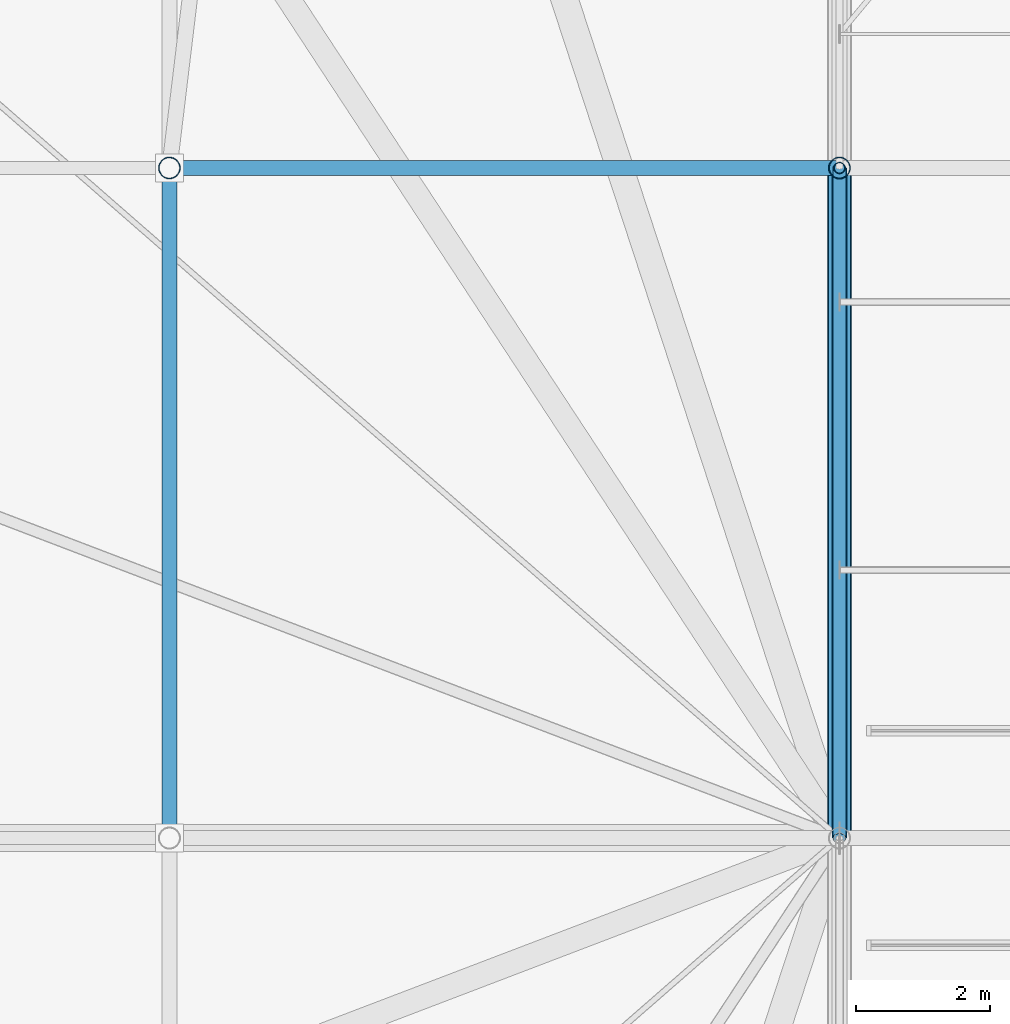
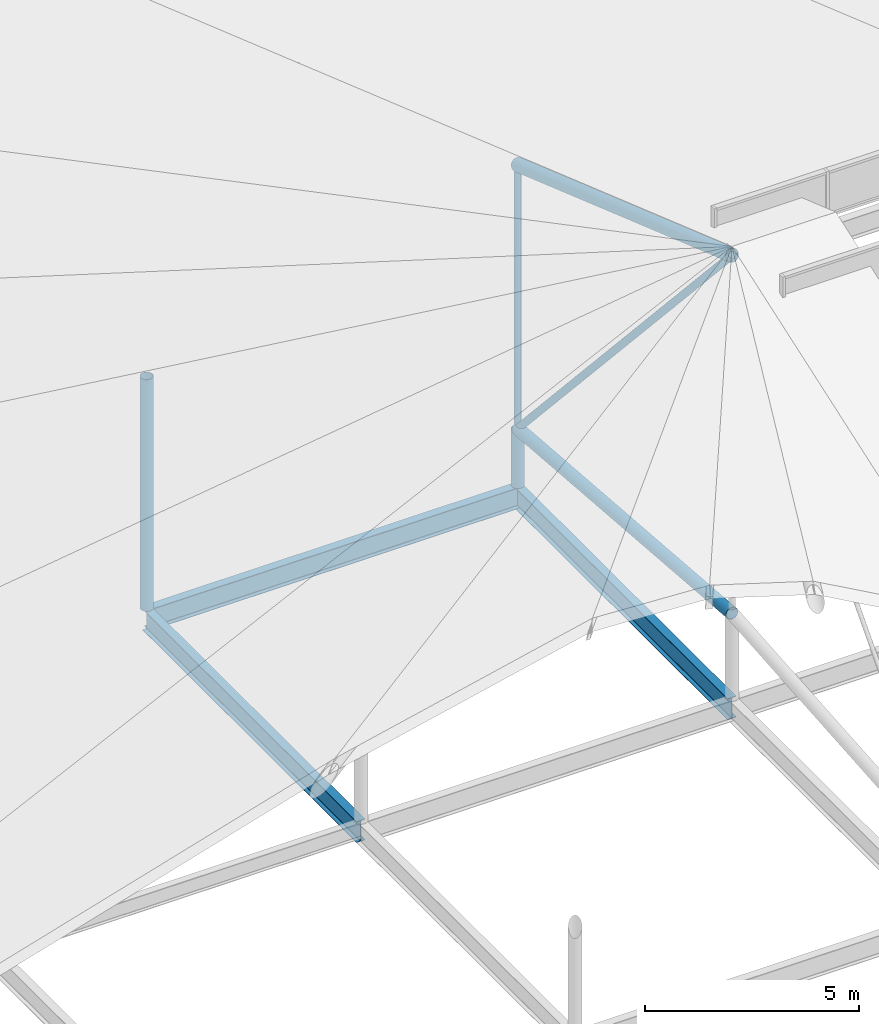
# One storey, part 28 of 93: 6 members, 3 beams.
"""IFC4 building model written with IfcOpenShell, lengths in metres."""

from ifc_helpers import new_model, si_unit, derived_unit, direction, frame, origin, origin_2d_with_axis, place, context, subcontext, project, spatial, hollow_circle, i_section, extrude, material, material_profile, profile_set, type_object, element, save


model = new_model("IFC4")

# Units and contexts
model_context = context("Model", 3, precision=1e-05, world=origin(), true_north=direction((0.0, 1.0)))
body_context = subcontext(model_context, "Body", "Model", "MODEL_VIEW")
ifc_project = project(units=[si_unit("LENGTHUNIT", "METRE"), si_unit("AREAUNIT", "SQUARE_METRE"), si_unit("VOLUMEUNIT", "CUBIC_METRE"), si_unit("PLANEANGLEUNIT", "RADIAN"), si_unit("MASSUNIT", "GRAM", prefix="KILO"), derived_unit("THERMALTRANSMITTANCEUNIT", [(si_unit("POWERUNIT", "WATT"), 1), (si_unit("LENGTHUNIT", "METRE"), -2), (si_unit("THERMODYNAMICTEMPERATUREUNIT", "KELVIN"), -1)])], contexts=[model_context])

# Site, building, storey
site_placement = place(None, origin())
site = spatial("IfcSite", under=ifc_project, at=site_placement, CompositionType="ELEMENT")
building_placement = place(site_placement, origin())
building = spatial("IfcBuilding", under=site, at=building_placement, Name="Cinnabar Yard Market Hall", CompositionType="ELEMENT")
storey_placement = place(building_placement, frame((0.0, 0.0, 23.800048828125)))
storey = spatial("IfcBuildingStorey", under=building, at=storey_placement, Name="ROOF", CompositionType="ELEMENT", Elevation=23.800048828125)

# Beams
ifc_material_1 = material(Name="Steel Grade 300 (300 MPa)", Category="steel")
ifc_material_profile_1 = material_profile(ifc_material_1, i_section(OverallWidth=0.22802734375, OverallDepth=0.60205078125, WebThickness=0.010498046875, FlangeThickness=0.014892578125, FilletRadius=0.013916015625, at=origin_2d_with_axis()), Name="610UB101")
ifc_profile_set_1 = profile_set([ifc_material_profile_1], Name="Steel Grade 300 (300 MPa)")
beam_type = type_object("IfcBeamType", Name="BM-B02", PredefinedType="BEAM", material=ifc_profile_set_1)
for number, where, z_axis, x_axis, name in (
    (1, (76.0, 54.0, -9.700927734375), (1.0, 0.0, 0.0), (0.0, 1.0, 0.0), "Hall Longitudinal Tie Girder 00396"),
    (2, (76.0, 44.0, -9.700927734375), (0.0, 1.0, 0.0), (-1.0, 0.0, 0.0), "Hall Transverse Tie Girder 00414"),
    (3, (86.0, 44.0, -9.700927734375), (0.0, 1.0, 0.0), (-1.0, 0.0, 0.0), "Hall Transverse Tie Girder 00418"),
):
    element("IfcBeam", number, at=place(storey_placement, frame(where, z_axis=z_axis, x_axis=x_axis)), inside=storey, type_object=beam_type, Name=name, PredefinedType="BEAM", context=body_context, shape_type="SweptSolid", body=[
        extrude(i_section(OverallWidth=0.22802734375, OverallDepth=0.60205078125, WebThickness=0.010498046875, FlangeThickness=0.014892578125, FilletRadius=0.013916015625, at=origin_2d_with_axis()), origin(), (0.0, 0.0, 1.0), 10.0),
    ])

# Members
ifc_material_2 = material(Name="Cold-formed steel C350L0", Category="steel")
ifc_material_profile_2 = material_profile(ifc_material_2, hollow_circle(Radius=0.161865234375, WallThickness=0.009521484375, at=origin_2d_with_axis()), Name="323.9x9.5CHS")
ifc_profile_set_2 = profile_set([ifc_material_profile_2], Name="Cold-formed steel C350L0")
member_type_1 = type_object("IfcMemberType", Name="MB-BC01", PredefinedType="CHORD", material=ifc_profile_set_2)
member_1_placement = place(storey_placement, frame((86.0, 44.0, -7.0), z_axis=(0.0, 0.99681489162, -0.07975005859), x_axis=(-1.0, 0.0, 0.0)))
element("IfcMember", 4, at=member_1_placement, inside=storey, type_object=member_type_1, Name="Hall Truss 86 Bottom Chord 4", PredefinedType="CHORD", context=body_context, shape_type="SweptSolid", body=[
    extrude(hollow_circle(Radius=0.161865234375, WallThickness=0.009521484375, at=origin_2d_with_axis()), origin(), (0.0, 0.0, 1.0), 10.031982421875),
])
ifc_material_profile_3 = material_profile(ifc_material_2, hollow_circle(Radius=0.096923828125, WallThickness=0.00634765625, at=origin_2d_with_axis()), Name="193.7x6.4CHS")
ifc_profile_set_3 = profile_set([ifc_material_profile_3], Name="Cold-formed steel C350L0")
member_type_2 = type_object("IfcMemberType", Name="MB-DG04", PredefinedType="BRACE", material=ifc_profile_set_3)
member_2_placement = place(storey_placement, frame((86.0, 44.0, 3.199951171875), z_axis=(0.0, 0.672672793996, -0.739940073396), x_axis=(-1.0, 0.0, 0.0)))
element("IfcMember", 5, at=member_2_placement, inside=storey, type_object=member_type_2, Name="Hall Truss 86 Diagonal 4", PredefinedType="BRACE", context=body_context, shape_type="SweptSolid", body=[
    extrude(hollow_circle(Radius=0.096923828125, WallThickness=0.00634765625, at=origin_2d_with_axis()), origin(), (0.0, 0.0, 1.0), 14.865966796875),
])
ifc_material_3 = material(Name="Spotted-gum glulam-clad steel Grade 350 (350 MPa)", Category="steel")
ifc_material_profile_4 = material_profile(ifc_material_3, hollow_circle(Radius=0.161865234375, WallThickness=0.009521484375, at=origin_2d_with_axis()), Name="323.9x9.5CHS")
ifc_profile_set_4 = profile_set([ifc_material_profile_4], Name="Spotted-gum glulam-clad steel Grade 350 (350 MPa)")
member_type_3 = type_object("IfcMemberType", Name="MB-ST01", PredefinedType="STRUT", material=ifc_profile_set_4)
member_3_placement = place(storey_placement, frame((86.0, 54.0, -9.400146484375), z_axis=(0.0, 0.0, 1.0), x_axis=(1.0, 0.0, 0.0)))
element("IfcMember", 6, at=member_3_placement, inside=storey, type_object=member_type_3, Name="Truss Bearing Post 86-54", PredefinedType="STRUT", context=body_context, shape_type="SweptSolid", body=[
    extrude(hollow_circle(Radius=0.161865234375, WallThickness=0.009521484375, at=origin_2d_with_axis()), origin(), (0.0, 0.0, 1.0), 1.60009765625),
])
member_4_placement = place(storey_placement, frame((76.0, 54.0, -9.400146484375), z_axis=(0.0, 0.0, 1.0), x_axis=(1.0, 0.0, 0.0)))
element("IfcMember", 7, at=member_4_placement, inside=storey, type_object=member_type_3, Name="Apsidal Roof Post 76-54", PredefinedType="STRUT", context=body_context, shape_type="SweptSolid", body=[
    extrude(hollow_circle(Radius=0.161865234375, WallThickness=0.009521484375, at=origin_2d_with_axis()), origin(), (0.0, 0.0, 1.0), 6.60009765625),
])
ifc_material_profile_5 = material_profile(ifc_material_2, hollow_circle(Radius=0.177734375, WallThickness=0.0126953125, at=origin_2d_with_axis()), Name="355.6x12.7CHS")
ifc_profile_set_5 = profile_set([ifc_material_profile_5], Name="Cold-formed steel C350L0")
member_type_4 = type_object("IfcMemberType", Name="MB-TC01", PredefinedType="CHORD", material=ifc_profile_set_5)
member_5_placement = place(storey_placement, frame((86.0, 44.0, 3.199951171875), z_axis=(0.0, 0.944424919483, -0.328727199147), x_axis=(-1.0, 0.0, 0.0)))
element("IfcMember", 8, at=member_5_placement, inside=storey, type_object=member_type_4, Name="Hall Truss 86 Top Chord 4", PredefinedType="CHORD", context=body_context, shape_type="SweptSolid", body=[
    extrude(hollow_circle(Radius=0.177734375, WallThickness=0.0126953125, at=origin_2d_with_axis()), origin(), (0.0, 0.0, 1.0), 10.58837890625),
])
ifc_material_profile_6 = material_profile(ifc_material_2, hollow_circle(Radius=0.084228515625, WallThickness=0.00634765625, at=origin_2d_with_axis()), Name="168.3x6.4CHS")
ifc_profile_set_6 = profile_set([ifc_material_profile_6], Name="Cold-formed steel C350L0")
member_type_5 = type_object("IfcMemberType", Name="MB-WB01", PredefinedType="STRUT", material=ifc_profile_set_6)
member_6_placement = place(storey_placement, frame((86.0, 54.0, -7.800048828125), z_axis=(0.0, 0.0, 1.0), x_axis=(1.0, 0.0, 0.0)))
element("IfcMember", 9, at=member_6_placement, inside=storey, type_object=member_type_5, Name="Hall Truss 86 Post 4", PredefinedType="STRUT", context=body_context, shape_type="SweptSolid", body=[
    extrude(hollow_circle(Radius=0.084228515625, WallThickness=0.00634765625, at=origin_2d_with_axis()), origin(), (0.0, 0.0, 1.0), 7.519287109375),
])

save(model, "model.ifc")
